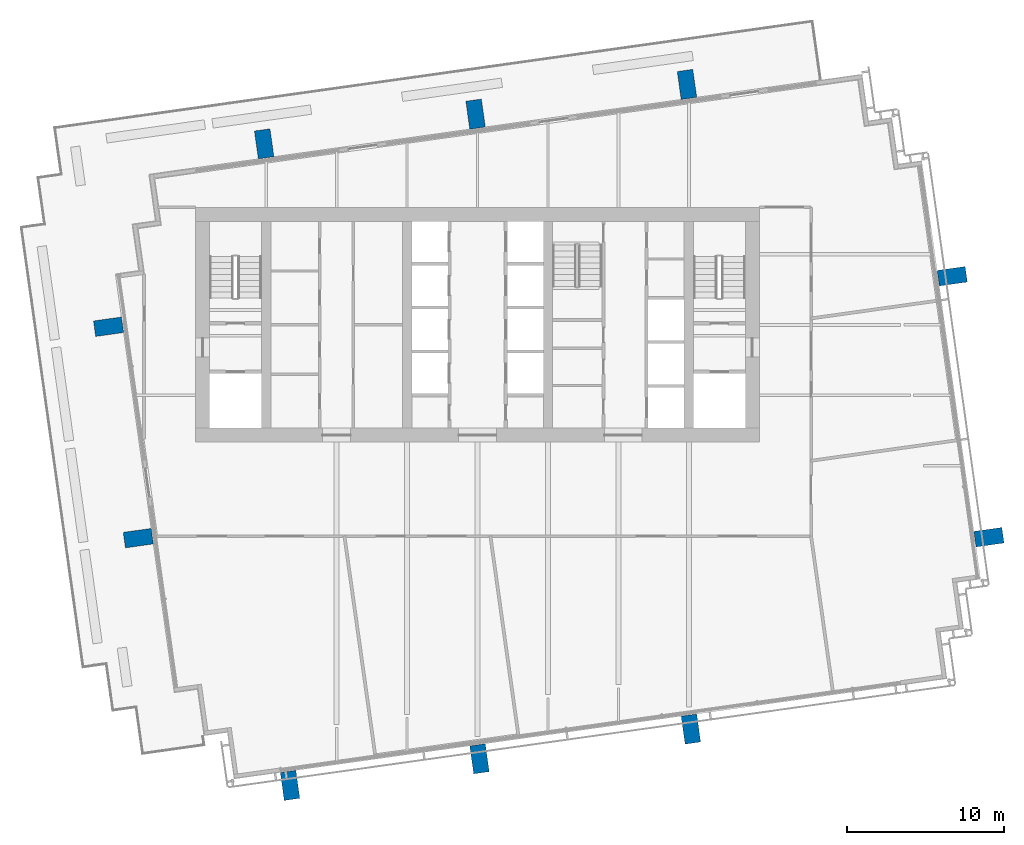
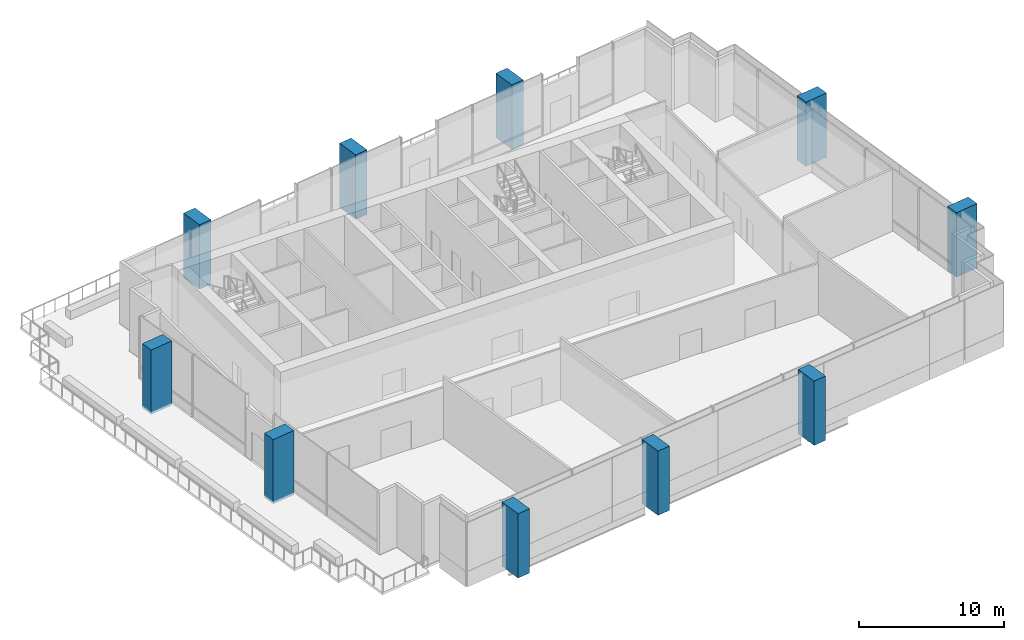
# One storey, part 1 of 18: 10 columns.
"""IFC4 building model written with IfcOpenShell, lengths in metres."""

from ifc_helpers import new_model, si_unit, direction, frame, origin, origin_2d, place, context, subcontext, project, spatial, rectangle, extrude, material, material_profile, profile_set, type_object, element, save


model = new_model("IFC4")

# Units and contexts
model_context = context("Model", 3, precision=1e-05, world=origin(), true_north=direction((0.0, 1.0)))
body_context = subcontext(model_context, "Body", "Model", "MODEL_VIEW")
ifc_project = project(units=[si_unit("LENGTHUNIT", "METRE"), si_unit("AREAUNIT", "SQUARE_METRE"), si_unit("VOLUMEUNIT", "CUBIC_METRE"), si_unit("PLANEANGLEUNIT", "RADIAN"), si_unit("MASSUNIT", "GRAM", prefix="KILO")], contexts=[model_context])

# Site, building, storey
site_placement = place(None, origin())
site = spatial("IfcSite", under=ifc_project, at=site_placement, CompositionType="ELEMENT")
building_placement = place(site_placement, origin())
building = spatial("IfcBuilding", under=site, at=building_placement, Name="Rattan Terrace Tower", CompositionType="ELEMENT")
storey_placement = place(building_placement, frame((0.0, 0.0, 208.10009765625)))
storey = spatial("IfcBuildingStorey", under=building, at=storey_placement, Name="L47", CompositionType="ELEMENT", Elevation=208.10009765625)

# Columns
ifc_material = material(Name="Concrete C40/50", Category="concrete")
ifc_material_profile = material_profile(ifc_material, rectangle(XDim=1.0, YDim=1.800048828125, at=origin_2d()), Name="CFT 1800x1000")
ifc_profile_set = profile_set([ifc_material_profile], Name="Concrete C40/50")
column_type = type_object("IfcColumnType", Name="Frame exoskeleton column CFT 1800x1000", PredefinedType="COLUMN", material=ifc_profile_set)
for number, where, z_axis, x_axis, name in (
    (1, (-11.970947265625, -29.416015625, -0.2001953125), (0.0, 0.0, 1.0), (0.990268068742, 0.13917310096, 0.0), "exo-L47-001"),
    (2, (0.125, -27.716064453125, -0.2001953125), (0.0, 0.0, 1.0), (0.990268068742, 0.13917310096, 0.0), "exo-L47-002"),
    (3, (13.625, -25.818115234375, -0.2001953125), (0.0, 0.0, 1.0), (0.990268068742, 0.13917310096, 0.0), "exo-L47-003"),
    (4, (-21.6630859375, -13.625, -0.2001953125), (0.0, 0.0, 1.0), (-0.139190384377, 0.990265639562, 0.0), "exo-L47-004"),
    (5, (32.657958984375, -13.56494140625, -0.2001953125), (0.0, 0.0, 1.0), (-0.139190384377, 0.990265639562, 0.0), "exo-L47-005"),
    (6, (-23.56103515625, -0.125, -0.2001953125), (0.0, 0.0, 1.0), (-0.139190384377, 0.990265639562, 0.0), "exo-L47-006"),
    (7, (30.31494140625, 3.10009765625, -0.2001953125), (0.0, 0.0, 1.0), (-0.139190384377, 0.990265639562, 0.0), "exo-L47-007"),
    (8, (-13.625, 11.552978515625, -0.2001953125), (0.0, 0.0, 1.0), (0.990268068742, 0.13917310096, 0.0), "exo-L47-008"),
    (9, (-0.125, 13.450927734375, -0.2001953125), (0.0, 0.0, 1.0), (0.990268068742, 0.13917310096, 0.0), "exo-L47-009"),
    (10, (13.375, 15.347900390625, -0.2001953125), (0.0, 0.0, 1.0), (0.990268068742, 0.13917310096, 0.0), "exo-L47-010"),
):
    element("IfcColumn", number, at=place(storey_placement, frame(where, z_axis=z_axis, x_axis=x_axis)), inside=storey, type_object=column_type, Name=name, PredefinedType="COLUMN", context=body_context, shape_type="SweptSolid", body=[
        extrude(rectangle(XDim=1.0, YDim=1.800048828125, at=origin_2d()), origin(), (0.0, 0.0, 1.0), 5.400146484375),
    ])

save(model, "model.ifc")
